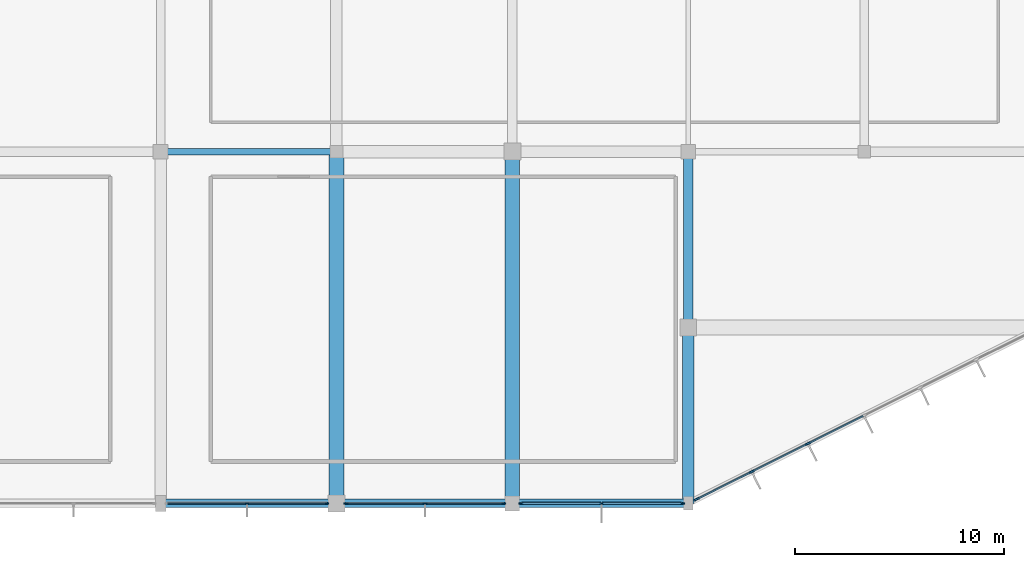
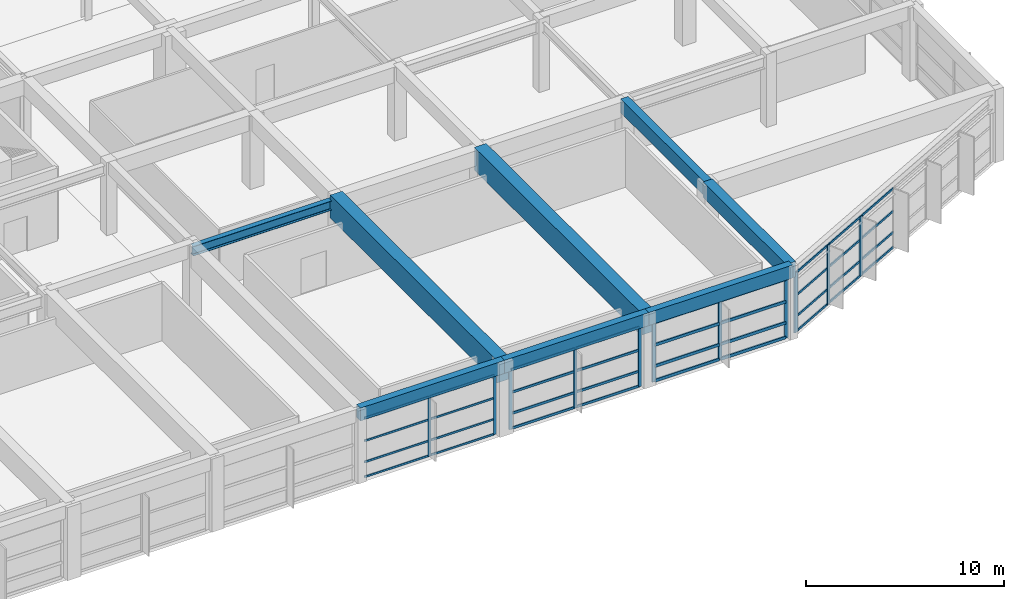
# One storey, part 33 of 65: 47 members, 8 beams, 4 elements without a shape of their own.
"""IFC4 building model written with IfcOpenShell, lengths in metres."""

from ifc_helpers import new_model, si_unit, direction, frame, origin, origin_2d, place, context, subcontext, project, spatial, rectangle, i_section, extrude, material, material_profile, profile_set, type_object, element, aggregate, save


model = new_model("IFC4")

# Units and contexts
model_context = context("Model", 3, precision=1e-05, world=origin(), true_north=direction((0.0, 1.0)))
body_context = subcontext(model_context, "Body", "Model", "MODEL_VIEW")
ifc_project = project(units=[si_unit("LENGTHUNIT", "METRE"), si_unit("AREAUNIT", "SQUARE_METRE"), si_unit("VOLUMEUNIT", "CUBIC_METRE"), si_unit("PLANEANGLEUNIT", "RADIAN"), si_unit("MASSUNIT", "GRAM", prefix="KILO")], contexts=[model_context])

# Site, building, storey
site_placement = place(None, origin())
site = spatial("IfcSite", under=ifc_project, at=site_placement, CompositionType="ELEMENT")
building_placement = place(site_placement, origin())
building = spatial("IfcBuilding", under=site, at=building_placement, Name="Xuanlan Plaza Opera House", CompositionType="ELEMENT")
storey_placement = place(building_placement, frame((0.0, 0.0, 5.39990234375)))
storey = spatial("IfcBuildingStorey", under=building, at=storey_placement, Name="L01", CompositionType="ELEMENT", Elevation=5.39990234375)

# Curtain wall, members
ifc_material_1 = material(Name="Anodised Aluminium 6063-T6 and Low-E Glass", Category="aluminium")
curtain_wall_type_1 = type_object("IfcCurtainWallType", Name="ENV-CW-CW-05", PredefinedType="USERDEFINED", material=ifc_material_1)
curtain_wall_1_placement = place(storey_placement, origin())
curtain_wall_1 = element("IfcCurtainWall", 1, at=curtain_wall_1_placement, inside=storey, type_object=curtain_wall_type_1, Name="Acoustic Glazed Wall L01-014", ObjectType="ACOUSTIC GLAZED WALL", PredefinedType="USERDEFINED")
ifc_material_2 = material(Name="Anodised Aluminium 6063-T6", Category="aluminium")
ifc_material_profile_1 = material_profile(ifc_material_2, rectangle(XDim=0.070068359375, YDim=0.179931640625, at=origin_2d()), Name="ALU-M 70x180")
ifc_profile_set_1 = profile_set([ifc_material_profile_1], Name="Anodised Aluminium 6063-T6")
member_type_1 = type_object("IfcMemberType", Name="ENV-CWM-02", PredefinedType="MULLION", material=ifc_profile_set_1)
member_1_placement = place(storey_placement, frame((130.125, 0.0, 0.0), z_axis=(0.0, 0.0, 1.0), x_axis=(0.0, 1.0, 0.0)))
member_1 = element("IfcMember", 2, at=member_1_placement, type_object=member_type_1, Name="CW-05 mullion 2", PredefinedType="MULLION", context=body_context, shape_type="SweptSolid", body=[
    extrude(rectangle(XDim=0.070068359375, YDim=0.179931640625, at=origin_2d()), origin(), (0.0, 0.0, 1.0), 3.68017578125),
])
member_2_placement = place(storey_placement, frame((133.945068359375, 0.0, 0.0), z_axis=(0.0, 0.0, 1.0), x_axis=(0.0, 1.0, 0.0)))
member_2 = element("IfcMember", 3, at=member_2_placement, type_object=member_type_1, Name="CW-05 mullion 3", PredefinedType="MULLION", context=body_context, shape_type="SweptSolid", body=[
    extrude(rectangle(XDim=0.070068359375, YDim=0.179931640625, at=origin_2d()), origin(), (0.0, 0.0, 1.0), 3.68017578125),
])

curtain_wall_type_2 = type_object("IfcCurtainWallType", Name="ENV-CW-CW-02", PredefinedType="USERDEFINED", material=ifc_material_1)
curtain_wall_2_placement = place(storey_placement, origin())
curtain_wall_2 = element("IfcCurtainWall", 4, at=curtain_wall_2_placement, inside=storey, type_object=curtain_wall_type_2, Name="Unitised Curtain Wall L01-015", ObjectType="UNITISED CURTAIN WALL", PredefinedType="USERDEFINED")
ifc_material_profile_2 = material_profile(ifc_material_2, rectangle(XDim=0.074951171875, YDim=0.199951171875, at=origin_2d()), Name="ALU-M 75x200")
ifc_profile_set_2 = profile_set([ifc_material_profile_2], Name="Anodised Aluminium 6063-T6")
member_type_2 = type_object("IfcMemberType", Name="ENV-CWM-03", PredefinedType="MULLION", material=ifc_profile_set_2)
member_3_placement = place(storey_placement, frame((134.857421875, 0.0, 0.0), z_axis=(0.0, 0.0, 1.0), x_axis=(0.0, 1.0, 0.0)))
member_3 = element("IfcMember", 5, at=member_3_placement, type_object=member_type_2, Name="CW-02 mullion 1", PredefinedType="MULLION", context=body_context, shape_type="SweptSolid", body=[
    extrude(rectangle(XDim=0.074951171875, YDim=0.199951171875, at=origin_2d()), origin(), (0.0, 0.0, 1.0), 3.68017578125),
])
member_4_placement = place(storey_placement, frame((138.625, 0.0, 0.0), z_axis=(0.0, 0.0, 1.0), x_axis=(0.0, 1.0, 0.0)))
member_4 = element("IfcMember", 6, at=member_4_placement, type_object=member_type_2, Name="CW-02 mullion 2", PredefinedType="MULLION", context=body_context, shape_type="SweptSolid", body=[
    extrude(rectangle(XDim=0.074951171875, YDim=0.199951171875, at=origin_2d()), origin(), (0.0, 0.0, 1.0), 3.68017578125),
])
member_5_placement = place(storey_placement, frame((142.392578125, 0.0, 0.0), z_axis=(0.0, 0.0, 1.0), x_axis=(0.0, 1.0, 0.0)))
member_5 = element("IfcMember", 7, at=member_5_placement, type_object=member_type_2, Name="CW-02 mullion 3", PredefinedType="MULLION", context=body_context, shape_type="SweptSolid", body=[
    extrude(rectangle(XDim=0.074951171875, YDim=0.199951171875, at=origin_2d()), origin(), (0.0, 0.0, 1.0), 3.68017578125),
])

curtain_wall_type_3 = type_object("IfcCurtainWallType", Name="ENV-CW-CW-03", PredefinedType="USERDEFINED", material=ifc_material_1)
curtain_wall_3_placement = place(storey_placement, origin())
curtain_wall_3 = element("IfcCurtainWall", 8, at=curtain_wall_3_placement, inside=storey, type_object=curtain_wall_type_3, Name="Unitised Curtain Wall L01-016", ObjectType="UNITISED CURTAIN WALL", PredefinedType="USERDEFINED")
ifc_material_profile_3 = material_profile(ifc_material_2, rectangle(XDim=0.080078125, YDim=0.219970703125, at=origin_2d()), Name="ALU-M 80x220")
ifc_profile_set_3 = profile_set([ifc_material_profile_3], Name="Anodised Aluminium 6063-T6")
member_type_3 = type_object("IfcMemberType", Name="ENV-CWM-04", PredefinedType="MULLION", material=ifc_profile_set_3)
member_6_placement = place(storey_placement, frame((143.2099609375, 0.0, 0.0), z_axis=(0.0, 0.0, 1.0), x_axis=(0.0, 1.0, 0.0)))
member_6 = element("IfcMember", 9, at=member_6_placement, type_object=member_type_3, Name="CW-03 mullion 1", PredefinedType="MULLION", context=body_context, shape_type="SweptSolid", body=[
    extrude(rectangle(XDim=0.080078125, YDim=0.219970703125, at=origin_2d()), origin(), (0.0, 0.0, 1.0), 3.68017578125),
])
member_7_placement = place(storey_placement, frame((147.0625, 0.0, 0.0), z_axis=(0.0, 0.0, 1.0), x_axis=(0.0, 1.0, 0.0)))
member_7 = element("IfcMember", 10, at=member_7_placement, type_object=member_type_3, Name="CW-03 mullion 2", PredefinedType="MULLION", context=body_context, shape_type="SweptSolid", body=[
    extrude(rectangle(XDim=0.080078125, YDim=0.219970703125, at=origin_2d()), origin(), (0.0, 0.0, 1.0), 3.68017578125),
])
member_8_placement = place(storey_placement, frame((150.9150390625, 0.0, 0.0), z_axis=(0.0, 0.0, 1.0), x_axis=(0.0, 1.0, 0.0)))
member_8 = element("IfcMember", 11, at=member_8_placement, type_object=member_type_3, Name="CW-03 mullion 3", PredefinedType="MULLION", context=body_context, shape_type="SweptSolid", body=[
    extrude(rectangle(XDim=0.080078125, YDim=0.219970703125, at=origin_2d()), origin(), (0.0, 0.0, 1.0), 3.68017578125),
])

curtain_wall_type_4 = type_object("IfcCurtainWallType", Name="ENV-CW-CW-04", PredefinedType="USERDEFINED", material=ifc_material_1)
curtain_wall_4_placement = place(storey_placement, origin())
curtain_wall_4 = element("IfcCurtainWall", 12, at=curtain_wall_4_placement, inside=storey, type_object=curtain_wall_type_4, Name="Unitised Curtain Wall L01-017", ObjectType="UNITISED CURTAIN WALL", PredefinedType="USERDEFINED")
ifc_material_profile_4 = material_profile(ifc_material_2, rectangle(XDim=0.090087890625, YDim=0.25, at=origin_2d()), Name="ALU-M 90x250")
ifc_profile_set_4 = profile_set([ifc_material_profile_4], Name="Anodised Aluminium 6063-T6")
member_type_4 = type_object("IfcMemberType", Name="ENV-CWM-05", PredefinedType="MULLION", material=ifc_profile_set_4)
member_9_placement = place(storey_placement, frame((151.59033203125, 0.1953125, 0.0), z_axis=(0.0, 0.0, 1.0), x_axis=(-0.447213595499, 0.894427191001, 0.0)))
member_9 = element("IfcMember", 13, at=member_9_placement, type_object=member_type_4, Name="CW-04 mullion 1", PredefinedType="MULLION", context=body_context, shape_type="SweptSolid", body=[
    extrude(rectangle(XDim=0.090087890625, YDim=0.25, at=origin_2d()), origin(), (0.0, 0.0, 1.0), 3.68017578125),
])
member_10_placement = place(storey_placement, frame((154.229248046875, 1.5146484375, 0.0), z_axis=(0.0, 0.0, 1.0), x_axis=(-0.447213595499, 0.894427191001, 0.0)))
member_10 = element("IfcMember", 14, at=member_10_placement, type_object=member_type_4, Name="CW-04 mullion 2", PredefinedType="MULLION", context=body_context, shape_type="SweptSolid", body=[
    extrude(rectangle(XDim=0.090087890625, YDim=0.25, at=origin_2d()), origin(), (0.0, 0.0, 1.0), 3.68017578125),
])
member_11_placement = place(storey_placement, frame((156.908447265625, 2.854248046875, 0.0), z_axis=(0.0, 0.0, 1.0), x_axis=(-0.447213595499, 0.894427191001, 0.0)))
member_11 = element("IfcMember", 15, at=member_11_placement, type_object=member_type_4, Name="CW-04 mullion 3", PredefinedType="MULLION", context=body_context, shape_type="SweptSolid", body=[
    extrude(rectangle(XDim=0.090087890625, YDim=0.25, at=origin_2d()), origin(), (0.0, 0.0, 1.0), 3.68017578125),
])

# Member
ifc_material_profile_5 = material_profile(ifc_material_2, rectangle(XDim=0.06494140625, YDim=0.1201171875, at=origin_2d()), Name="ALU-T 65x120")
ifc_profile_set_5 = profile_set([ifc_material_profile_5], Name="Anodised Aluminium 6063-T6")
member_type_5 = type_object("IfcMemberType", Name="ENV-CWT-01", PredefinedType="USERDEFINED", material=ifc_profile_set_5)
member_12_placement = place(storey_placement, frame((126.340087890625, 0.0, 0.03271484375), z_axis=(1.0, 0.0, 0.0), x_axis=(0.0, 1.0, 0.0)))
member_12 = element("IfcMember", 16, at=member_12_placement, type_object=member_type_5, Name="CW-05 transom 1.1", ObjectType="TRANSOM", PredefinedType="USERDEFINED", context=body_context, shape_type="SweptSolid", body=[
    extrude(rectangle(XDim=0.06494140625, YDim=0.1201171875, at=origin_2d()), origin(), (0.0, 0.0, 1.0), 3.75),
])

member_13_placement = place(storey_placement, frame((126.340087890625, 0.0, 0.9501953125), z_axis=(1.0, 0.0, 0.0), x_axis=(0.0, 1.0, 0.0)))
member_13 = element("IfcMember", 17, at=member_13_placement, type_object=member_type_5, Name="CW-05 transom 1.2", ObjectType="TRANSOM", PredefinedType="USERDEFINED", context=body_context, shape_type="SweptSolid", body=[
    extrude(rectangle(XDim=0.06494140625, YDim=0.1201171875, at=origin_2d()), origin(), (0.0, 0.0, 1.0), 3.75),
])

member_14_placement = place(storey_placement, frame((126.340087890625, 0.0, 2.25), z_axis=(1.0, 0.0, 0.0), x_axis=(0.0, 1.0, 0.0)))
member_14 = element("IfcMember", 18, at=member_14_placement, type_object=member_type_5, Name="CW-05 transom 1.3", ObjectType="TRANSOM", PredefinedType="USERDEFINED", context=body_context, shape_type="SweptSolid", body=[
    extrude(rectangle(XDim=0.06494140625, YDim=0.1201171875, at=origin_2d()), origin(), (0.0, 0.0, 1.0), 3.75),
])

member_15_placement = place(storey_placement, frame((126.340087890625, 0.0, 3.647705078125), z_axis=(1.0, 0.0, 0.0), x_axis=(0.0, 1.0, 0.0)))
member_15 = element("IfcMember", 19, at=member_15_placement, type_object=member_type_5, Name="CW-05 transom 1.4", ObjectType="TRANSOM", PredefinedType="USERDEFINED", context=body_context, shape_type="SweptSolid", body=[
    extrude(rectangle(XDim=0.06494140625, YDim=0.1201171875, at=origin_2d()), origin(), (0.0, 0.0, 1.0), 3.75),
])

member_16_placement = place(storey_placement, frame((130.159912109375, 0.0, 0.03271484375), z_axis=(1.0, 0.0, 0.0), x_axis=(0.0, 1.0, 0.0)))
member_16 = element("IfcMember", 20, at=member_16_placement, type_object=member_type_5, Name="CW-05 transom 2.1", ObjectType="TRANSOM", PredefinedType="USERDEFINED", context=body_context, shape_type="SweptSolid", body=[
    extrude(rectangle(XDim=0.06494140625, YDim=0.1201171875, at=origin_2d()), origin(), (0.0, 0.0, 1.0), 3.75),
])

member_17_placement = place(storey_placement, frame((130.159912109375, 0.0, 0.9501953125), z_axis=(1.0, 0.0, 0.0), x_axis=(0.0, 1.0, 0.0)))
member_17 = element("IfcMember", 21, at=member_17_placement, type_object=member_type_5, Name="CW-05 transom 2.2", ObjectType="TRANSOM", PredefinedType="USERDEFINED", context=body_context, shape_type="SweptSolid", body=[
    extrude(rectangle(XDim=0.06494140625, YDim=0.1201171875, at=origin_2d()), origin(), (0.0, 0.0, 1.0), 3.75),
])

member_18_placement = place(storey_placement, frame((130.159912109375, 0.0, 2.25), z_axis=(1.0, 0.0, 0.0), x_axis=(0.0, 1.0, 0.0)))
member_18 = element("IfcMember", 22, at=member_18_placement, type_object=member_type_5, Name="CW-05 transom 2.3", ObjectType="TRANSOM", PredefinedType="USERDEFINED", context=body_context, shape_type="SweptSolid", body=[
    extrude(rectangle(XDim=0.06494140625, YDim=0.1201171875, at=origin_2d()), origin(), (0.0, 0.0, 1.0), 3.75),
])

member_19_placement = place(storey_placement, frame((130.159912109375, 0.0, 3.647705078125), z_axis=(1.0, 0.0, 0.0), x_axis=(0.0, 1.0, 0.0)))
member_19 = element("IfcMember", 23, at=member_19_placement, type_object=member_type_5, Name="CW-05 transom 2.4", ObjectType="TRANSOM", PredefinedType="USERDEFINED", context=body_context, shape_type="SweptSolid", body=[
    extrude(rectangle(XDim=0.06494140625, YDim=0.1201171875, at=origin_2d()), origin(), (0.0, 0.0, 1.0), 3.75),
])

aggregate(curtain_wall_1, [member_1, member_2, member_12, member_13, member_14, member_15, member_16, member_17, member_18, member_19])

ifc_material_profile_6 = material_profile(ifc_material_2, rectangle(XDim=0.070068359375, YDim=0.135009765625, at=origin_2d()), Name="ALU-T 70x135")
ifc_profile_set_6 = profile_set([ifc_material_profile_6], Name="Anodised Aluminium 6063-T6")
member_type_6 = type_object("IfcMemberType", Name="ENV-CWT-02", PredefinedType="USERDEFINED", material=ifc_profile_set_6)
member_20_placement = place(storey_placement, frame((151.630615234375, 0.21533203125, 0.03515625), z_axis=(0.894410119824, 0.447247736223, 0.0), x_axis=(-0.447247736223, 0.894410119824, 0.0)))
member_20 = element("IfcMember", 24, at=member_20_placement, type_object=member_type_6, Name="CW-04 transom 1.1", ObjectType="TRANSOM", PredefinedType="USERDEFINED", context=body_context, shape_type="SweptSolid", body=[
    extrude(rectangle(XDim=0.070068359375, YDim=0.135009765625, at=origin_2d()), origin(), (0.0, 0.0, 1.0), 2.8603515625),
])

member_21_placement = place(storey_placement, frame((151.630615234375, 0.21533203125, 0.9501953125), z_axis=(0.894410119824, 0.447247736223, 0.0), x_axis=(-0.447247736223, 0.894410119824, 0.0)))
member_21 = element("IfcMember", 25, at=member_21_placement, type_object=member_type_6, Name="CW-04 transom 1.2", ObjectType="TRANSOM", PredefinedType="USERDEFINED", context=body_context, shape_type="SweptSolid", body=[
    extrude(rectangle(XDim=0.070068359375, YDim=0.135009765625, at=origin_2d()), origin(), (0.0, 0.0, 1.0), 2.8603515625),
])

member_22_placement = place(storey_placement, frame((151.630615234375, 0.21533203125, 2.25), z_axis=(0.894410119824, 0.447247736223, 0.0), x_axis=(-0.447247736223, 0.894410119824, 0.0)))
member_22 = element("IfcMember", 26, at=member_22_placement, type_object=member_type_6, Name="CW-04 transom 1.3", ObjectType="TRANSOM", PredefinedType="USERDEFINED", context=body_context, shape_type="SweptSolid", body=[
    extrude(rectangle(XDim=0.070068359375, YDim=0.135009765625, at=origin_2d()), origin(), (0.0, 0.0, 1.0), 2.8603515625),
])

member_23_placement = place(storey_placement, frame((151.630615234375, 0.21533203125, 3.64501953125), z_axis=(0.894410119824, 0.447247736223, 0.0), x_axis=(-0.447247736223, 0.894410119824, 0.0)))
member_23 = element("IfcMember", 27, at=member_23_placement, type_object=member_type_6, Name="CW-04 transom 1.4", ObjectType="TRANSOM", PredefinedType="USERDEFINED", context=body_context, shape_type="SweptSolid", body=[
    extrude(rectangle(XDim=0.070068359375, YDim=0.135009765625, at=origin_2d()), origin(), (0.0, 0.0, 1.0), 2.8603515625),
])

member_24_placement = place(storey_placement, frame((154.26953125, 1.53466796875, 0.03515625), z_axis=(0.894427191, 0.4472135955, 0.0), x_axis=(-0.4472135955, 0.894427191, 0.0)))
member_24 = element("IfcMember", 28, at=member_24_placement, type_object=member_type_6, Name="CW-04 transom 2.1", ObjectType="TRANSOM", PredefinedType="USERDEFINED", context=body_context, shape_type="SweptSolid", body=[
    extrude(rectangle(XDim=0.070068359375, YDim=0.135009765625, at=origin_2d()), origin(), (0.0, 0.0, 1.0), 2.9052734375),
])

member_25_placement = place(storey_placement, frame((154.26953125, 1.53466796875, 0.9501953125), z_axis=(0.894427191, 0.4472135955, 0.0), x_axis=(-0.4472135955, 0.894427191, 0.0)))
member_25 = element("IfcMember", 29, at=member_25_placement, type_object=member_type_6, Name="CW-04 transom 2.2", ObjectType="TRANSOM", PredefinedType="USERDEFINED", context=body_context, shape_type="SweptSolid", body=[
    extrude(rectangle(XDim=0.070068359375, YDim=0.135009765625, at=origin_2d()), origin(), (0.0, 0.0, 1.0), 2.9052734375),
])

member_26_placement = place(storey_placement, frame((154.26953125, 1.53466796875, 2.25), z_axis=(0.894427191, 0.4472135955, 0.0), x_axis=(-0.4472135955, 0.894427191, 0.0)))
member_26 = element("IfcMember", 30, at=member_26_placement, type_object=member_type_6, Name="CW-04 transom 2.3", ObjectType="TRANSOM", PredefinedType="USERDEFINED", context=body_context, shape_type="SweptSolid", body=[
    extrude(rectangle(XDim=0.070068359375, YDim=0.135009765625, at=origin_2d()), origin(), (0.0, 0.0, 1.0), 2.9052734375),
])

member_27_placement = place(storey_placement, frame((154.26953125, 1.53466796875, 3.64501953125), z_axis=(0.894427191, 0.4472135955, 0.0), x_axis=(-0.4472135955, 0.894427191, 0.0)))
member_27 = element("IfcMember", 31, at=member_27_placement, type_object=member_type_6, Name="CW-04 transom 2.4", ObjectType="TRANSOM", PredefinedType="USERDEFINED", context=body_context, shape_type="SweptSolid", body=[
    extrude(rectangle(XDim=0.070068359375, YDim=0.135009765625, at=origin_2d()), origin(), (0.0, 0.0, 1.0), 2.9052734375),
])

member_28_placement = place(storey_placement, frame((156.94873046875, 2.874267578125, 0.03515625), z_axis=(0.894427191, 0.4472135955, 0.0), x_axis=(-0.4472135955, 0.894427191, 0.0)))
member_28 = element("IfcMember", 32, at=member_28_placement, type_object=member_type_6, Name="CW-04 transom 3.1", ObjectType="TRANSOM", PredefinedType="USERDEFINED", context=body_context, shape_type="SweptSolid", body=[
    extrude(rectangle(XDim=0.070068359375, YDim=0.135009765625, at=origin_2d()), origin(), (0.0, 0.0, 1.0), 2.9052734375),
])

member_29_placement = place(storey_placement, frame((156.94873046875, 2.874267578125, 0.9501953125), z_axis=(0.894427191, 0.4472135955, 0.0), x_axis=(-0.4472135955, 0.894427191, 0.0)))
member_29 = element("IfcMember", 33, at=member_29_placement, type_object=member_type_6, Name="CW-04 transom 3.2", ObjectType="TRANSOM", PredefinedType="USERDEFINED", context=body_context, shape_type="SweptSolid", body=[
    extrude(rectangle(XDim=0.070068359375, YDim=0.135009765625, at=origin_2d()), origin(), (0.0, 0.0, 1.0), 2.9052734375),
])

member_30_placement = place(storey_placement, frame((156.94873046875, 2.874267578125, 2.25), z_axis=(0.894427191, 0.4472135955, 0.0), x_axis=(-0.4472135955, 0.894427191, 0.0)))
member_30 = element("IfcMember", 34, at=member_30_placement, type_object=member_type_6, Name="CW-04 transom 3.3", ObjectType="TRANSOM", PredefinedType="USERDEFINED", context=body_context, shape_type="SweptSolid", body=[
    extrude(rectangle(XDim=0.070068359375, YDim=0.135009765625, at=origin_2d()), origin(), (0.0, 0.0, 1.0), 2.9052734375),
])

member_31_placement = place(storey_placement, frame((156.94873046875, 2.874267578125, 3.64501953125), z_axis=(0.894427191, 0.4472135955, 0.0), x_axis=(-0.4472135955, 0.894427191, 0.0)))
member_31 = element("IfcMember", 35, at=member_31_placement, type_object=member_type_6, Name="CW-04 transom 3.4", ObjectType="TRANSOM", PredefinedType="USERDEFINED", context=body_context, shape_type="SweptSolid", body=[
    extrude(rectangle(XDim=0.070068359375, YDim=0.135009765625, at=origin_2d()), origin(), (0.0, 0.0, 1.0), 2.9052734375),
])

aggregate(curtain_wall_4, [member_9, member_10, member_11, member_20, member_21, member_22, member_23, member_24, member_25, member_26, member_27, member_28, member_29, member_30, member_31])

ifc_material_profile_7 = material_profile(ifc_material_2, rectangle(XDim=0.074951171875, YDim=0.14990234375, at=origin_2d()), Name="ALU-T 75x150")
ifc_profile_set_7 = profile_set([ifc_material_profile_7], Name="Anodised Aluminium 6063-T6")
member_type_7 = type_object("IfcMemberType", Name="ENV-CWT-03", PredefinedType="USERDEFINED", material=ifc_profile_set_7)
member_32_placement = place(storey_placement, frame((134.89501953125, 0.0, 0.03759765625), z_axis=(1.0, 0.0, 0.0), x_axis=(0.0, 1.0, 0.0)))
member_32 = element("IfcMember", 36, at=member_32_placement, type_object=member_type_7, Name="CW-02 transom 1.1", ObjectType="TRANSOM", PredefinedType="USERDEFINED", context=body_context, shape_type="SweptSolid", body=[
    extrude(rectangle(XDim=0.074951171875, YDim=0.14990234375, at=origin_2d()), origin(), (0.0, 0.0, 1.0), 3.6923828125),
])

member_33_placement = place(storey_placement, frame((134.89501953125, 0.0, 0.9501953125), z_axis=(1.0, 0.0, 0.0), x_axis=(0.0, 1.0, 0.0)))
member_33 = element("IfcMember", 37, at=member_33_placement, type_object=member_type_7, Name="CW-02 transom 1.2", ObjectType="TRANSOM", PredefinedType="USERDEFINED", context=body_context, shape_type="SweptSolid", body=[
    extrude(rectangle(XDim=0.074951171875, YDim=0.14990234375, at=origin_2d()), origin(), (0.0, 0.0, 1.0), 3.6923828125),
])

member_34_placement = place(storey_placement, frame((134.89501953125, 0.0, 2.25), z_axis=(1.0, 0.0, 0.0), x_axis=(0.0, 1.0, 0.0)))
member_34 = element("IfcMember", 38, at=member_34_placement, type_object=member_type_7, Name="CW-02 transom 1.3", ObjectType="TRANSOM", PredefinedType="USERDEFINED", context=body_context, shape_type="SweptSolid", body=[
    extrude(rectangle(XDim=0.074951171875, YDim=0.14990234375, at=origin_2d()), origin(), (0.0, 0.0, 1.0), 3.6923828125),
])

member_35_placement = place(storey_placement, frame((134.89501953125, 0.0, 3.642578125), z_axis=(1.0, 0.0, 0.0), x_axis=(0.0, 1.0, 0.0)))
member_35 = element("IfcMember", 39, at=member_35_placement, type_object=member_type_7, Name="CW-02 transom 1.4", ObjectType="TRANSOM", PredefinedType="USERDEFINED", context=body_context, shape_type="SweptSolid", body=[
    extrude(rectangle(XDim=0.074951171875, YDim=0.14990234375, at=origin_2d()), origin(), (0.0, 0.0, 1.0), 3.6923828125),
])

member_36_placement = place(storey_placement, frame((138.66259765625, 0.0, 0.03759765625), z_axis=(1.0, 0.0, 0.0), x_axis=(0.0, 1.0, 0.0)))
member_36 = element("IfcMember", 40, at=member_36_placement, type_object=member_type_7, Name="CW-02 transom 2.1", ObjectType="TRANSOM", PredefinedType="USERDEFINED", context=body_context, shape_type="SweptSolid", body=[
    extrude(rectangle(XDim=0.074951171875, YDim=0.14990234375, at=origin_2d()), origin(), (0.0, 0.0, 1.0), 3.6923828125),
])

member_37_placement = place(storey_placement, frame((138.66259765625, 0.0, 0.9501953125), z_axis=(1.0, 0.0, 0.0), x_axis=(0.0, 1.0, 0.0)))
member_37 = element("IfcMember", 41, at=member_37_placement, type_object=member_type_7, Name="CW-02 transom 2.2", ObjectType="TRANSOM", PredefinedType="USERDEFINED", context=body_context, shape_type="SweptSolid", body=[
    extrude(rectangle(XDim=0.074951171875, YDim=0.14990234375, at=origin_2d()), origin(), (0.0, 0.0, 1.0), 3.6923828125),
])

member_38_placement = place(storey_placement, frame((138.66259765625, 0.0, 2.25), z_axis=(1.0, 0.0, 0.0), x_axis=(0.0, 1.0, 0.0)))
member_38 = element("IfcMember", 42, at=member_38_placement, type_object=member_type_7, Name="CW-02 transom 2.3", ObjectType="TRANSOM", PredefinedType="USERDEFINED", context=body_context, shape_type="SweptSolid", body=[
    extrude(rectangle(XDim=0.074951171875, YDim=0.14990234375, at=origin_2d()), origin(), (0.0, 0.0, 1.0), 3.6923828125),
])

member_39_placement = place(storey_placement, frame((138.66259765625, 0.0, 3.642578125), z_axis=(1.0, 0.0, 0.0), x_axis=(0.0, 1.0, 0.0)))
member_39 = element("IfcMember", 43, at=member_39_placement, type_object=member_type_7, Name="CW-02 transom 2.4", ObjectType="TRANSOM", PredefinedType="USERDEFINED", context=body_context, shape_type="SweptSolid", body=[
    extrude(rectangle(XDim=0.074951171875, YDim=0.14990234375, at=origin_2d()), origin(), (0.0, 0.0, 1.0), 3.6923828125),
])

aggregate(curtain_wall_2, [member_3, member_4, member_5, member_32, member_33, member_34, member_35, member_36, member_37, member_38, member_39])

ifc_material_profile_8 = material_profile(ifc_material_2, rectangle(XDim=0.090087890625, YDim=0.179931640625, at=origin_2d()), Name="ALU-T 90x180")
ifc_profile_set_8 = profile_set([ifc_material_profile_8], Name="Anodised Aluminium 6063-T6")
member_type_8 = type_object("IfcMemberType", Name="ENV-CWT-05", PredefinedType="USERDEFINED", material=ifc_profile_set_8)
member_40_placement = place(storey_placement, frame((143.25, 0.0, 0.045166015625), z_axis=(1.0, 0.0, 0.0), x_axis=(0.0, 1.0, 0.0)))
member_40 = element("IfcMember", 44, at=member_40_placement, type_object=member_type_8, Name="CW-03 transom 1.1", ObjectType="TRANSOM", PredefinedType="USERDEFINED", context=body_context, shape_type="SweptSolid", body=[
    extrude(rectangle(XDim=0.090087890625, YDim=0.179931640625, at=origin_2d()), origin(), (0.0, 0.0, 1.0), 3.7724609375),
])

member_41_placement = place(storey_placement, frame((143.25, 0.0, 0.9501953125), z_axis=(1.0, 0.0, 0.0), x_axis=(0.0, 1.0, 0.0)))
member_41 = element("IfcMember", 45, at=member_41_placement, type_object=member_type_8, Name="CW-03 transom 1.2", ObjectType="TRANSOM", PredefinedType="USERDEFINED", context=body_context, shape_type="SweptSolid", body=[
    extrude(rectangle(XDim=0.090087890625, YDim=0.179931640625, at=origin_2d()), origin(), (0.0, 0.0, 1.0), 3.7724609375),
])

member_42_placement = place(storey_placement, frame((143.25, 0.0, 2.25), z_axis=(1.0, 0.0, 0.0), x_axis=(0.0, 1.0, 0.0)))
member_42 = element("IfcMember", 46, at=member_42_placement, type_object=member_type_8, Name="CW-03 transom 1.3", ObjectType="TRANSOM", PredefinedType="USERDEFINED", context=body_context, shape_type="SweptSolid", body=[
    extrude(rectangle(XDim=0.090087890625, YDim=0.179931640625, at=origin_2d()), origin(), (0.0, 0.0, 1.0), 3.7724609375),
])

member_43_placement = place(storey_placement, frame((143.25, 0.0, 3.635009765625), z_axis=(1.0, 0.0, 0.0), x_axis=(0.0, 1.0, 0.0)))
member_43 = element("IfcMember", 47, at=member_43_placement, type_object=member_type_8, Name="CW-03 transom 1.4", ObjectType="TRANSOM", PredefinedType="USERDEFINED", context=body_context, shape_type="SweptSolid", body=[
    extrude(rectangle(XDim=0.090087890625, YDim=0.179931640625, at=origin_2d()), origin(), (0.0, 0.0, 1.0), 3.7724609375),
])

member_44_placement = place(storey_placement, frame((147.1025390625, 0.0, 0.045166015625), z_axis=(1.0, 0.0, 0.0), x_axis=(0.0, 1.0, 0.0)))
member_44 = element("IfcMember", 48, at=member_44_placement, type_object=member_type_8, Name="CW-03 transom 2.1", ObjectType="TRANSOM", PredefinedType="USERDEFINED", context=body_context, shape_type="SweptSolid", body=[
    extrude(rectangle(XDim=0.090087890625, YDim=0.179931640625, at=origin_2d()), origin(), (0.0, 0.0, 1.0), 3.7724609375),
])

member_45_placement = place(storey_placement, frame((147.1025390625, 0.0, 0.9501953125), z_axis=(1.0, 0.0, 0.0), x_axis=(0.0, 1.0, 0.0)))
member_45 = element("IfcMember", 49, at=member_45_placement, type_object=member_type_8, Name="CW-03 transom 2.2", ObjectType="TRANSOM", PredefinedType="USERDEFINED", context=body_context, shape_type="SweptSolid", body=[
    extrude(rectangle(XDim=0.090087890625, YDim=0.179931640625, at=origin_2d()), origin(), (0.0, 0.0, 1.0), 3.7724609375),
])

member_46_placement = place(storey_placement, frame((147.1025390625, 0.0, 2.25), z_axis=(1.0, 0.0, 0.0), x_axis=(0.0, 1.0, 0.0)))
member_46 = element("IfcMember", 50, at=member_46_placement, type_object=member_type_8, Name="CW-03 transom 2.3", ObjectType="TRANSOM", PredefinedType="USERDEFINED", context=body_context, shape_type="SweptSolid", body=[
    extrude(rectangle(XDim=0.090087890625, YDim=0.179931640625, at=origin_2d()), origin(), (0.0, 0.0, 1.0), 3.7724609375),
])

member_47_placement = place(storey_placement, frame((147.1025390625, 0.0, 3.635009765625), z_axis=(1.0, 0.0, 0.0), x_axis=(0.0, 1.0, 0.0)))
member_47 = element("IfcMember", 51, at=member_47_placement, type_object=member_type_8, Name="CW-03 transom 2.4", ObjectType="TRANSOM", PredefinedType="USERDEFINED", context=body_context, shape_type="SweptSolid", body=[
    extrude(rectangle(XDim=0.090087890625, YDim=0.179931640625, at=origin_2d()), origin(), (0.0, 0.0, 1.0), 3.7724609375),
])

aggregate(curtain_wall_3, [member_6, member_7, member_8, member_40, member_41, member_42, member_43, member_44, member_45, member_46, member_47])

# Beams
ifc_material_3 = material(Name="Concrete C50", Category="concrete")
ifc_material_profile_9 = material_profile(ifc_material_3, rectangle(XDim=0.550048828125, YDim=0.949951171875, at=origin_2d()), Name="RC-BM 550x950")
ifc_profile_set_9 = profile_set([ifc_material_profile_9], Name="Concrete C50")
beam_type_1 = type_object("IfcBeamType", Name="STR-BM-B-02", PredefinedType="BEAM", material=ifc_profile_set_9)
beam_1_placement = place(storey_placement, frame((151.199951171875, 0.0, 4.025146484375), z_axis=(0.0, 1.0, 0.0), x_axis=(-1.0, 0.0, 0.0)))
element("IfcBeam", 52, at=beam_1_placement, inside=storey, type_object=beam_type_1, Name="Grid Beam Y L01 19/A-B", PredefinedType="BEAM", context=body_context, shape_type="SweptSolid", body=[
    extrude(rectangle(XDim=0.550048828125, YDim=0.949951171875, at=origin_2d()), origin(), (0.0, 0.0, 1.0), 8.39990234375),
])
ifc_material_4 = material(Name="Concrete C40", Category="concrete")
ifc_material_profile_10 = material_profile(ifc_material_4, rectangle(XDim=0.449951171875, YDim=0.85009765625, at=origin_2d()), Name="RC-BM 450x850")
ifc_profile_set_10 = profile_set([ifc_material_profile_10], Name="Concrete C40")
beam_type_2 = type_object("IfcBeamType", Name="STR-BM-B-04", PredefinedType="BEAM", material=ifc_profile_set_10)
beam_2_placement = place(storey_placement, frame((151.199951171875, 8.39990234375, 4.0751953125), z_axis=(0.0, 1.0, 0.0), x_axis=(-1.0, 0.0, 0.0)))
element("IfcBeam", 53, at=beam_2_placement, inside=storey, type_object=beam_type_2, Name="Grid Beam Y L01 19/B-C", PredefinedType="BEAM", context=body_context, shape_type="SweptSolid", body=[
    extrude(rectangle(XDim=0.449951171875, YDim=0.85009765625, at=origin_2d()), origin(), (0.0, 0.0, 1.0), 8.400146484375),
])
ifc_material_profile_11 = material_profile(ifc_material_3, rectangle(XDim=0.699951171875, YDim=1.39990234375, at=origin_2d()), Name="RC-LG 700x1400")
ifc_profile_set_11 = profile_set([ifc_material_profile_11], Name="Concrete C50")
beam_type_3 = type_object("IfcBeamType", Name="STR-BM-LG-01", PredefinedType="BEAM", material=ifc_profile_set_11)
for number, where, z_axis, x_axis, name in (
    (54, (134.39990234375, 0.0, 3.800048828125), (0.0, 1.0, 0.0), (-1.0, 0.0, 0.0), "Grid Beam Y L01 17/A-C"),
    (55, (142.800048828125, 0.0, 3.800048828125), (0.0, 1.0, 0.0), (-1.0, 0.0, 0.0), "Grid Beam Y L01 18/A-C"),
):
    element("IfcBeam", number, at=place(storey_placement, frame(where, z_axis=z_axis, x_axis=x_axis)), inside=storey, type_object=beam_type_3, Name=name, PredefinedType="BEAM", context=body_context, shape_type="SweptSolid", body=[
        extrude(rectangle(XDim=0.699951171875, YDim=1.39990234375, at=origin_2d()), origin(), (0.0, 0.0, 1.0), 16.800048828125),
    ])
ifc_material_5 = material(Name="Steel Q355B", Category="steel")
ifc_material_profile_12 = material_profile(ifc_material_5, i_section(OverallWidth=0.300048828125, OverallDepth=0.587890625, WebThickness=0.011962890625, FlangeThickness=0.02001953125, FilletRadius=0.02392578125, at=origin_2d()), Name="HM 588x300x12x20")
ifc_profile_set_12 = profile_set([ifc_material_profile_12], Name="Steel Q355B")
beam_type_4 = type_object("IfcBeamType", Name="STR-BM-SB-06", PredefinedType="BEAM", material=ifc_profile_set_12)
beam_3_placement = place(storey_placement, frame((126.0, 16.800048828125, 3.941162109375), z_axis=(1.0, 0.0, 0.0), x_axis=(0.0, 1.0, 0.0)))
element("IfcBeam", 56, at=beam_3_placement, inside=storey, type_object=beam_type_4, Name="Grid Beam X L01 16-17/C", PredefinedType="BEAM", context=body_context, shape_type="SweptSolid", body=[
    extrude(i_section(OverallWidth=0.300048828125, OverallDepth=0.587890625, WebThickness=0.011962890625, FlangeThickness=0.02001953125, FilletRadius=0.02392578125, at=origin_2d()), origin(), (0.0, 0.0, 1.0), 8.39990234375),
])
ifc_material_profile_13 = material_profile(ifc_material_4, rectangle(XDim=0.39990234375, YDim=0.800048828125, at=origin_2d()), Name="RC-SPD 400x800")
ifc_profile_set_13 = profile_set([ifc_material_profile_13], Name="Concrete C40")
beam_type_5 = type_object("IfcBeamType", Name="STR-BM-SP-01", PredefinedType="SPANDREL", material=ifc_profile_set_13)
beam_4_placement = place(storey_placement, frame((126.0, 0.0, 4.10009765625), z_axis=(1.0, 0.0, 0.0), x_axis=(0.0, 1.0, 0.0)))
element("IfcBeam", 57, at=beam_4_placement, inside=storey, type_object=beam_type_5, Name="Grid Beam X L01 16-17/A", PredefinedType="SPANDREL", context=body_context, shape_type="SweptSolid", body=[
    extrude(rectangle(XDim=0.39990234375, YDim=0.800048828125, at=origin_2d()), origin(), (0.0, 0.0, 1.0), 8.39990234375),
])
beam_5_placement = place(storey_placement, frame((134.39990234375, 0.0, 4.10009765625), z_axis=(1.0, 0.0, 0.0), x_axis=(0.0, 1.0, 0.0)))
element("IfcBeam", 58, at=beam_5_placement, inside=storey, type_object=beam_type_5, Name="Grid Beam X L01 17-18/A", PredefinedType="SPANDREL", context=body_context, shape_type="SweptSolid", body=[
    extrude(rectangle(XDim=0.39990234375, YDim=0.800048828125, at=origin_2d()), origin(), (0.0, 0.0, 1.0), 8.400146484375),
])
beam_6_placement = place(storey_placement, frame((142.800048828125, 0.0, 4.10009765625), z_axis=(1.0, 0.0, 0.0), x_axis=(0.0, 1.0, 0.0)))
element("IfcBeam", 59, at=beam_6_placement, inside=storey, type_object=beam_type_5, Name="Grid Beam X L01 18-19/A", PredefinedType="SPANDREL", context=body_context, shape_type="SweptSolid", body=[
    extrude(rectangle(XDim=0.39990234375, YDim=0.800048828125, at=origin_2d()), origin(), (0.0, 0.0, 1.0), 8.39990234375),
])

save(model, "model.ifc")
